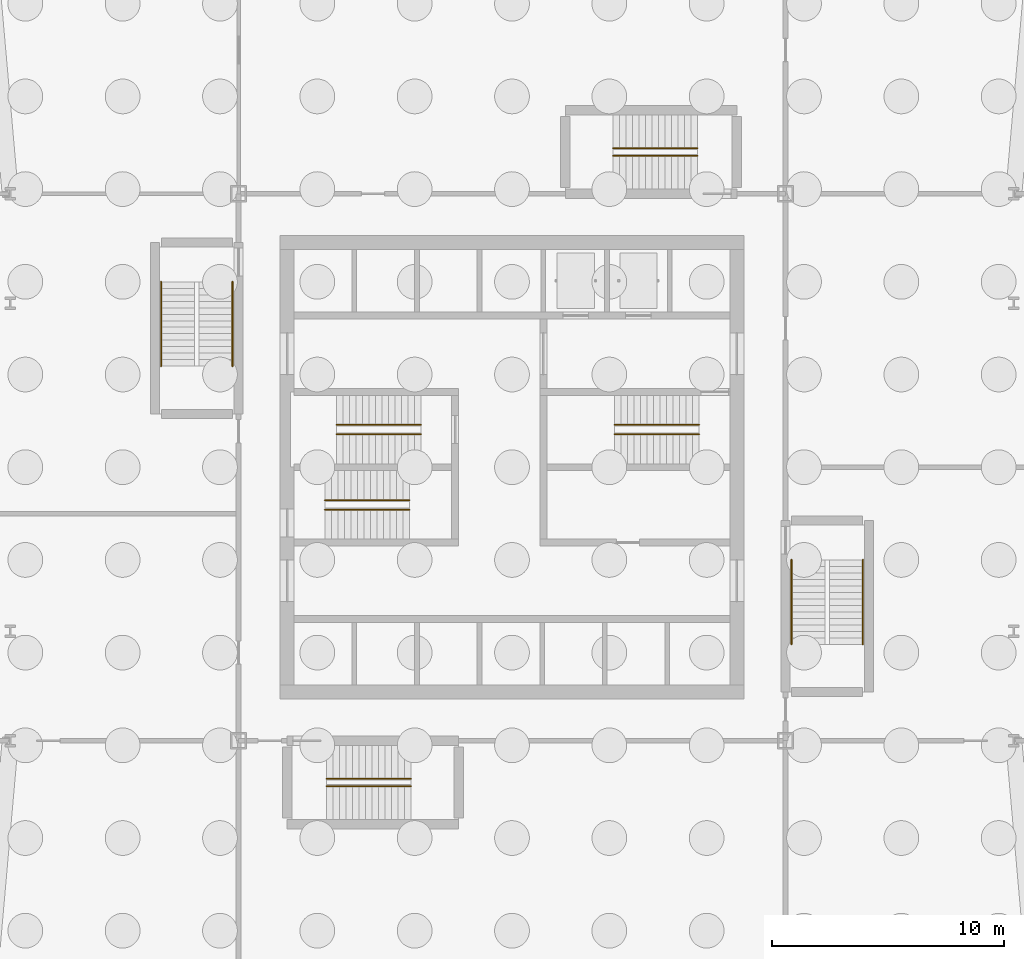
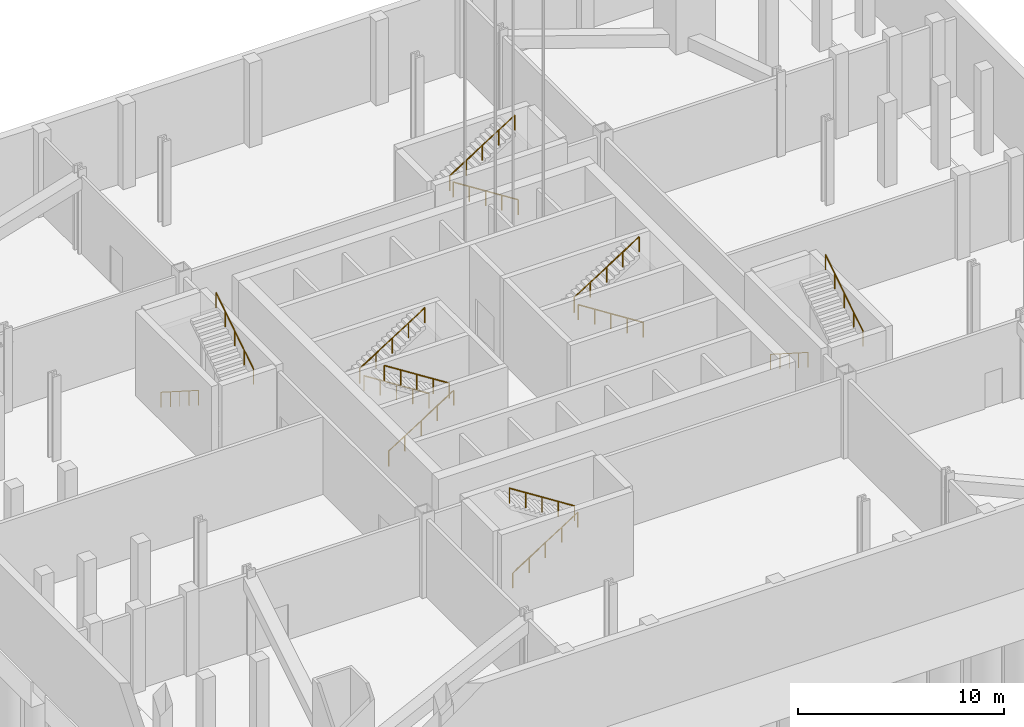
# One storey, part 6 of 8: 14 railings.
"""IFC4 building model written with IfcOpenShell, lengths in metres."""

from ifc_helpers import new_model, si_unit, direction, frame, origin, origin_2d, place, context, subcontext, project, spatial, circle, extrude, material, type_object, element, save


model = new_model("IFC4")

# Units and contexts
model_context = context("Model", 3, precision=1e-05, world=origin(), true_north=direction((0.0, 1.0)))
body_context = subcontext(model_context, "Body", "Model", "MODEL_VIEW")
ifc_project = project(units=[si_unit("LENGTHUNIT", "METRE"), si_unit("AREAUNIT", "SQUARE_METRE"), si_unit("VOLUMEUNIT", "CUBIC_METRE"), si_unit("PLANEANGLEUNIT", "RADIAN"), si_unit("MASSUNIT", "GRAM", prefix="KILO")], contexts=[model_context])

# Site, building, storey
site_placement = place(None, origin())
site = spatial("IfcSite", under=ifc_project, at=site_placement, CompositionType="ELEMENT")
building_placement = place(site_placement, origin())
building = spatial("IfcBuilding", under=site, at=building_placement, Name="Turquesa Mirador Hotel Tower", CompositionType="ELEMENT")
storey_placement = place(building_placement, frame((0.0, 0.0, -5.0)))
storey = spatial("IfcBuildingStorey", under=building, at=storey_placement, Name="B1", CompositionType="ELEMENT", Elevation=-5.0)

# Railings
ifc_material = material(Name="Painted steel handrail", Category="steel")
railing_type = type_object("IfcRailingType", Name="HANDRAIL 900 STEEL", PredefinedType="HANDRAIL", material=ifc_material)
railing_1_placement = place(storey_placement, frame((51.070068359375, 46.419921875, 0.178466796875)))
element("IfcRailing", 1, at=railing_1_placement, inside=storey, type_object=railing_type, Name="Handrail ST1", PredefinedType="HANDRAIL", context=body_context, shape_type="SweptSolid", body=[
    extrude(circle(Radius=0.02392578125, at=origin_2d()), frame((0.0, 0.0, 0.8759765625), z_axis=(-0.843127859045, 0.0, 0.537713132908), x_axis=(0.0, -1.0, 0.0)), (0.0, 0.0, 1.0), 4.3173828125),
    extrude(circle(Radius=0.02099609375, at=origin_2d()), origin(), (0.0, 0.0, 1.0), 0.851806640625),
    extrude(circle(Radius=0.02099609375, at=origin_2d()), frame((-0.91015625, 0.0, 0.580322265625)), (0.0, 0.0, 1.0), 0.851806640625),
    extrude(circle(Radius=0.02099609375, at=origin_2d()), frame((-1.820068359375, 0.0, 1.16064453125)), (0.0, 0.0, 1.0), 0.851806640625),
    extrude(circle(Radius=0.02099609375, at=origin_2d()), frame((-2.72998046875, 0.0, 1.7412109375)), (0.0, 0.0, 1.0), 0.851806640625),
    extrude(circle(Radius=0.02099609375, at=origin_2d()), frame((-3.64013671875, 0.0, 2.321533203125)), (0.0, 0.0, 1.0), 0.851806640625),
])
for number, where, name in (
    (2, (47.429931640625, 46.830078125, 2.678466796875), "Handrail ST1"),
    (3, (46.929931640625, 43.169921875, 0.178466796875), "Handrail ST2"),
):
    element("IfcRailing", number, at=place(storey_placement, frame(where)), inside=storey, type_object=railing_type, Name=name, PredefinedType="HANDRAIL", context=body_context, shape_type="SweptSolid", body=[
        extrude(circle(Radius=0.02392578125, at=origin_2d()), frame((0.0, 0.0, 0.8759765625), z_axis=(0.843127859045, 0.0, 0.537713132908), x_axis=(0.0, 1.0, 0.0)), (0.0, 0.0, 1.0), 4.3173828125),
        extrude(circle(Radius=0.02099609375, at=origin_2d()), origin(), (0.0, 0.0, 1.0), 0.851806640625),
        extrude(circle(Radius=0.02099609375, at=origin_2d()), frame((0.91015625, 0.0, 0.580322265625)), (0.0, 0.0, 1.0), 0.851806640625),
        extrude(circle(Radius=0.02099609375, at=origin_2d()), frame((1.820068359375, 0.0, 1.16064453125)), (0.0, 0.0, 1.0), 0.851806640625),
        extrude(circle(Radius=0.02099609375, at=origin_2d()), frame((2.72998046875, 0.0, 1.7412109375)), (0.0, 0.0, 1.0), 0.851806640625),
        extrude(circle(Radius=0.02099609375, at=origin_2d()), frame((3.64013671875, 0.0, 2.321533203125)), (0.0, 0.0, 1.0), 0.851806640625),
    ])
for number, where, name in (
    (4, (50.570068359375, 43.580078125, 2.678466796875), "Handrail ST2"),
    (5, (63.070068359375, 46.419921875, 0.178466796875), "Handrail ST3"),
):
    element("IfcRailing", number, at=place(storey_placement, frame(where)), inside=storey, type_object=railing_type, Name=name, PredefinedType="HANDRAIL", context=body_context, shape_type="SweptSolid", body=[
        extrude(circle(Radius=0.02392578125, at=origin_2d()), frame((0.0, 0.0, 0.8759765625), z_axis=(-0.843127859045, 0.0, 0.537713132908), x_axis=(0.0, -1.0, 0.0)), (0.0, 0.0, 1.0), 4.3173828125),
        extrude(circle(Radius=0.02099609375, at=origin_2d()), origin(), (0.0, 0.0, 1.0), 0.851806640625),
        extrude(circle(Radius=0.02099609375, at=origin_2d()), frame((-0.91015625, 0.0, 0.580322265625)), (0.0, 0.0, 1.0), 0.851806640625),
        extrude(circle(Radius=0.02099609375, at=origin_2d()), frame((-1.820068359375, 0.0, 1.16064453125)), (0.0, 0.0, 1.0), 0.851806640625),
        extrude(circle(Radius=0.02099609375, at=origin_2d()), frame((-2.72998046875, 0.0, 1.7412109375)), (0.0, 0.0, 1.0), 0.851806640625),
        extrude(circle(Radius=0.02099609375, at=origin_2d()), frame((-3.64013671875, 0.0, 2.321533203125)), (0.0, 0.0, 1.0), 0.851806640625),
    ])
railing_2_placement = place(storey_placement, frame((59.429931640625, 46.830078125, 2.678466796875)))
element("IfcRailing", 6, at=railing_2_placement, inside=storey, type_object=railing_type, Name="Handrail ST3", PredefinedType="HANDRAIL", context=body_context, shape_type="SweptSolid", body=[
    extrude(circle(Radius=0.02392578125, at=origin_2d()), frame((0.0, 0.0, 0.8759765625), z_axis=(0.843127859045, 0.0, 0.537713132908), x_axis=(0.0, 1.0, 0.0)), (0.0, 0.0, 1.0), 4.3173828125),
    extrude(circle(Radius=0.02099609375, at=origin_2d()), origin(), (0.0, 0.0, 1.0), 0.851806640625),
    extrude(circle(Radius=0.02099609375, at=origin_2d()), frame((0.91015625, 0.0, 0.580322265625)), (0.0, 0.0, 1.0), 0.851806640625),
    extrude(circle(Radius=0.02099609375, at=origin_2d()), frame((1.820068359375, 0.0, 1.16064453125)), (0.0, 0.0, 1.0), 0.851806640625),
    extrude(circle(Radius=0.02099609375, at=origin_2d()), frame((2.72998046875, 0.0, 1.7412109375)), (0.0, 0.0, 1.0), 0.851806640625),
    extrude(circle(Radius=0.02099609375, at=origin_2d()), frame((3.64013671875, 0.0, 2.321533203125)), (0.0, 0.0, 1.0), 0.851806640625),
])
railing_3_placement = place(storey_placement, frame((63.0, 58.43994140625, 0.178466796875)))
element("IfcRailing", 7, at=railing_3_placement, inside=storey, type_object=railing_type, Name="Handrail PS1", PredefinedType="HANDRAIL", context=body_context, shape_type="SweptSolid", body=[
    extrude(circle(Radius=0.02392578125, at=origin_2d()), frame((0.0, 0.0, 0.8759765625), z_axis=(-0.843111507901, 0.0, 0.53773877045), x_axis=(0.0, -1.0, 0.0)), (0.0, 0.0, 1.0), 4.317138671875),
    extrude(circle(Radius=0.02099609375, at=origin_2d()), origin(), (0.0, 0.0, 1.0), 0.851806640625),
    extrude(circle(Radius=0.02099609375, at=origin_2d()), frame((-0.909912109375, 0.0, 0.580322265625)), (0.0, 0.0, 1.0), 0.851806640625),
    extrude(circle(Radius=0.02099609375, at=origin_2d()), frame((-1.81982421875, 0.0, 1.16064453125)), (0.0, 0.0, 1.0), 0.851806640625),
    extrude(circle(Radius=0.02099609375, at=origin_2d()), frame((-2.72998046875, 0.0, 1.7412109375)), (0.0, 0.0, 1.0), 0.851806640625),
    extrude(circle(Radius=0.02099609375, at=origin_2d()), frame((-3.639892578125, 0.0, 2.321533203125)), (0.0, 0.0, 1.0), 0.851806640625),
])
for number, where, name in (
    (8, (59.360107421875, 58.760009765625, 2.678466796875), "Handrail PS1"),
    (9, (47.0, 31.239990234375, 0.178466796875), "Handrail PS2"),
):
    element("IfcRailing", number, at=place(storey_placement, frame(where)), inside=storey, type_object=railing_type, Name=name, PredefinedType="HANDRAIL", context=body_context, shape_type="SweptSolid", body=[
        extrude(circle(Radius=0.02392578125, at=origin_2d()), frame((0.0, 0.0, 0.8759765625), z_axis=(0.843111507901, 0.0, 0.53773877045), x_axis=(0.0, 1.0, 0.0)), (0.0, 0.0, 1.0), 4.317138671875),
        extrude(circle(Radius=0.02099609375, at=origin_2d()), origin(), (0.0, 0.0, 1.0), 0.851806640625),
        extrude(circle(Radius=0.02099609375, at=origin_2d()), frame((0.909912109375, 0.0, 0.580322265625)), (0.0, 0.0, 1.0), 0.851806640625),
        extrude(circle(Radius=0.02099609375, at=origin_2d()), frame((1.81982421875, 0.0, 1.16064453125)), (0.0, 0.0, 1.0), 0.851806640625),
        extrude(circle(Radius=0.02099609375, at=origin_2d()), frame((2.72998046875, 0.0, 1.7412109375)), (0.0, 0.0, 1.0), 0.851806640625),
        extrude(circle(Radius=0.02099609375, at=origin_2d()), frame((3.639892578125, 0.0, 2.321533203125)), (0.0, 0.0, 1.0), 0.851806640625),
    ])
railing_4_placement = place(storey_placement, frame((50.639892578125, 31.56005859375, 2.678466796875)))
element("IfcRailing", 10, at=railing_4_placement, inside=storey, type_object=railing_type, Name="Handrail PS2", PredefinedType="HANDRAIL", context=body_context, shape_type="SweptSolid", body=[
    extrude(circle(Radius=0.02392578125, at=origin_2d()), frame((0.0, 0.0, 0.8759765625), z_axis=(-0.843111507901, 0.0, 0.53773877045), x_axis=(0.0, -1.0, 0.0)), (0.0, 0.0, 1.0), 4.317138671875),
    extrude(circle(Radius=0.02099609375, at=origin_2d()), origin(), (0.0, 0.0, 1.0), 0.851806640625),
    extrude(circle(Radius=0.02099609375, at=origin_2d()), frame((-0.909912109375, 0.0, 0.580322265625)), (0.0, 0.0, 1.0), 0.851806640625),
    extrude(circle(Radius=0.02099609375, at=origin_2d()), frame((-1.81982421875, 0.0, 1.16064453125)), (0.0, 0.0, 1.0), 0.851806640625),
    extrude(circle(Radius=0.02099609375, at=origin_2d()), frame((-2.72998046875, 0.0, 1.7412109375)), (0.0, 0.0, 1.0), 0.851806640625),
    extrude(circle(Radius=0.02099609375, at=origin_2d()), frame((-3.639892578125, 0.0, 2.321533203125)), (0.0, 0.0, 1.0), 0.851806640625),
])
railing_5_placement = place(storey_placement, frame((67.06005859375, 41.0, 0.178466796875)))
element("IfcRailing", 11, at=railing_5_placement, inside=storey, type_object=railing_type, Name="Handrail PS3", PredefinedType="HANDRAIL", context=body_context, shape_type="SweptSolid", body=[
    extrude(circle(Radius=0.02392578125, at=origin_2d()), frame((0.0, 0.0, 0.8759765625), z_axis=(0.0, -0.843111507901, 0.53773877045), x_axis=(1.0, 0.0, 0.0)), (0.0, 0.0, 1.0), 4.317138671875),
    extrude(circle(Radius=0.02099609375, at=origin_2d()), origin(), (0.0, 0.0, 1.0), 0.851806640625),
    extrude(circle(Radius=0.02099609375, at=origin_2d()), frame((0.0, -0.909912109375, 0.580322265625)), (0.0, 0.0, 1.0), 0.851806640625),
    extrude(circle(Radius=0.02099609375, at=origin_2d()), frame((0.0, -1.81982421875, 1.16064453125)), (0.0, 0.0, 1.0), 0.851806640625),
    extrude(circle(Radius=0.02099609375, at=origin_2d()), frame((0.0, -2.72998046875, 1.7412109375)), (0.0, 0.0, 1.0), 0.851806640625),
    extrude(circle(Radius=0.02099609375, at=origin_2d()), frame((0.0, -3.639892578125, 2.321533203125)), (0.0, 0.0, 1.0), 0.851806640625),
])
railing_6_placement = place(storey_placement, frame((70.139892578125, 37.360107421875, 2.678466796875)))
element("IfcRailing", 12, at=railing_6_placement, inside=storey, type_object=railing_type, Name="Handrail PS3", PredefinedType="HANDRAIL", context=body_context, shape_type="SweptSolid", body=[
    extrude(circle(Radius=0.02392578125, at=origin_2d()), frame((0.0, 0.0, 0.8759765625), z_axis=(0.0, 0.843111507901, 0.53773877045), x_axis=(-1.0, 0.0, 0.0)), (0.0, 0.0, 1.0), 4.317138671875),
    extrude(circle(Radius=0.02099609375, at=origin_2d()), origin(), (0.0, 0.0, 1.0), 0.851806640625),
    extrude(circle(Radius=0.02099609375, at=origin_2d()), frame((0.0, 0.909912109375, 0.580322265625)), (0.0, 0.0, 1.0), 0.851806640625),
    extrude(circle(Radius=0.02099609375, at=origin_2d()), frame((0.0, 1.81982421875, 1.16064453125)), (0.0, 0.0, 1.0), 0.851806640625),
    extrude(circle(Radius=0.02099609375, at=origin_2d()), frame((0.0, 2.72998046875, 1.7412109375)), (0.0, 0.0, 1.0), 0.851806640625),
    extrude(circle(Radius=0.02099609375, at=origin_2d()), frame((0.0, 3.639892578125, 2.321533203125)), (0.0, 0.0, 1.0), 0.851806640625),
])
railing_7_placement = place(storey_placement, frame((39.860107421875, 53.0, 0.178466796875)))
element("IfcRailing", 13, at=railing_7_placement, inside=storey, type_object=railing_type, Name="Handrail PS4", PredefinedType="HANDRAIL", context=body_context, shape_type="SweptSolid", body=[
    extrude(circle(Radius=0.02392578125, at=origin_2d()), frame((0.0, 0.0, 0.8759765625), z_axis=(0.0, -0.843111507901, 0.53773877045), x_axis=(1.0, 0.0, 0.0)), (0.0, 0.0, 1.0), 4.317138671875),
    extrude(circle(Radius=0.02099609375, at=origin_2d()), origin(), (0.0, 0.0, 1.0), 0.851806640625),
    extrude(circle(Radius=0.02099609375, at=origin_2d()), frame((0.0, -0.909912109375, 0.580322265625)), (0.0, 0.0, 1.0), 0.851806640625),
    extrude(circle(Radius=0.02099609375, at=origin_2d()), frame((0.0, -1.81982421875, 1.16064453125)), (0.0, 0.0, 1.0), 0.851806640625),
    extrude(circle(Radius=0.02099609375, at=origin_2d()), frame((0.0, -2.72998046875, 1.7412109375)), (0.0, 0.0, 1.0), 0.851806640625),
    extrude(circle(Radius=0.02099609375, at=origin_2d()), frame((0.0, -3.639892578125, 2.321533203125)), (0.0, 0.0, 1.0), 0.851806640625),
])
railing_8_placement = place(storey_placement, frame((42.93994140625, 49.360107421875, 2.678466796875)))
element("IfcRailing", 14, at=railing_8_placement, inside=storey, type_object=railing_type, Name="Handrail PS4", PredefinedType="HANDRAIL", context=body_context, shape_type="SweptSolid", body=[
    extrude(circle(Radius=0.02392578125, at=origin_2d()), frame((0.0, 0.0, 0.8759765625), z_axis=(0.0, 0.843111507901, 0.53773877045), x_axis=(-1.0, 0.0, 0.0)), (0.0, 0.0, 1.0), 4.317138671875),
    extrude(circle(Radius=0.02099609375, at=origin_2d()), origin(), (0.0, 0.0, 1.0), 0.851806640625),
    extrude(circle(Radius=0.02099609375, at=origin_2d()), frame((0.0, 0.909912109375, 0.580322265625)), (0.0, 0.0, 1.0), 0.851806640625),
    extrude(circle(Radius=0.02099609375, at=origin_2d()), frame((0.0, 1.81982421875, 1.16064453125)), (0.0, 0.0, 1.0), 0.851806640625),
    extrude(circle(Radius=0.02099609375, at=origin_2d()), frame((0.0, 2.72998046875, 1.7412109375)), (0.0, 0.0, 1.0), 0.851806640625),
    extrude(circle(Radius=0.02099609375, at=origin_2d()), frame((0.0, 3.639892578125, 2.321533203125)), (0.0, 0.0, 1.0), 0.851806640625),
])

save(model, "model.ifc")
